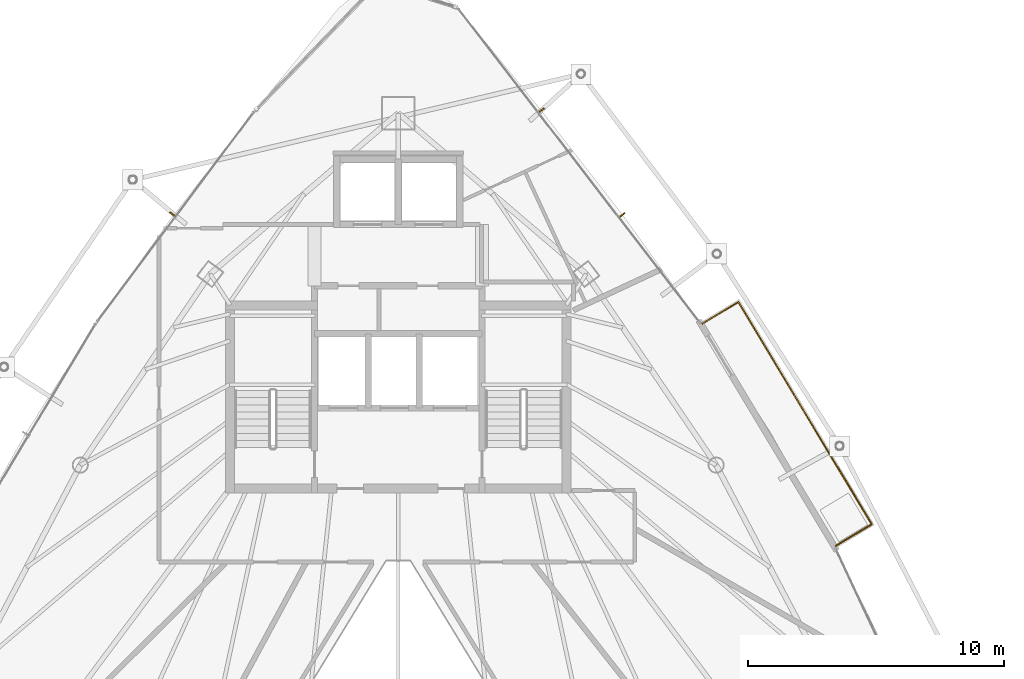
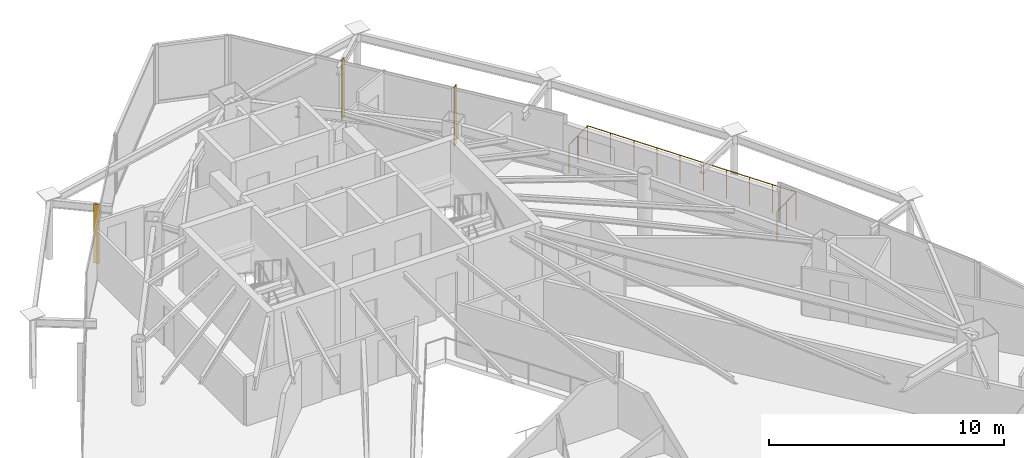
# One storey, part 34 of 34: 3 shading devices, 1 railing.
"""IFC4 building model written with IfcOpenShell, lengths in metres."""

from ifc_helpers import new_model, si_unit, direction, frame, origin, origin_2d, place, context, subcontext, project, spatial, rectangle, circle, extrude, material, layer, layer_set, type_object, element, save


model = new_model("IFC4")

# Units and contexts
model_context = context("Model", 3, precision=1e-05, world=origin(), true_north=direction((0.0, 1.0)))
body_context = subcontext(model_context, "Body", "Model", "MODEL_VIEW")
ifc_project = project(units=[si_unit("LENGTHUNIT", "METRE"), si_unit("AREAUNIT", "SQUARE_METRE"), si_unit("VOLUMEUNIT", "CUBIC_METRE"), si_unit("PLANEANGLEUNIT", "RADIAN"), si_unit("MASSUNIT", "GRAM", prefix="KILO")], contexts=[model_context])

# Site, building, storey
site_placement = place(None, origin())
site = spatial("IfcSite", under=ifc_project, at=site_placement, CompositionType="ELEMENT")
building_placement = place(site_placement, origin())
building = spatial("IfcBuilding", under=site, at=building_placement, Name="Orvanel Arch Residences", CompositionType="ELEMENT")
storey_placement = place(building_placement, frame((0.0, 0.0, 203.0)))
storey = spatial("IfcBuildingStorey", under=building, at=storey_placement, Name="L57", CompositionType="ELEMENT", Elevation=203.0)

# Shading devices
ifc_material = material(Name="Bronze-anodised aluminium AA6063-T6", Category="aluminium")
ifc_layer = layer(ifc_material, 0.050048828125)
ifc_layer_set = layer_set([ifc_layer], Name="Bronze-anodised aluminium AA6063-T6")
shading_device_type = type_object("IfcShadingDeviceType", Name="FIN-BRZ-260", PredefinedType="USERDEFINED", material=ifc_layer_set)
for number, where, z_axis, x_axis, name in (
    (1, (24.174072265625, 37.449951171875, 0.0), (0.0, 0.0, 1.0), (-0.800731370949, 0.599023598516, 0.0), "L57 Anodised Bronze Mullion FIN 01"),
    (2, (41.758056640625, 37.4189453125, 0.0), (0.0, 0.0, 1.0), (0.792289643355, 0.610145163901, 0.0), "L57 Anodised Bronze Mullion FIN 01"),
    (3, (38.60400390625, 41.514892578125, 0.0), (0.0, 0.0, 1.0), (0.792289643355, 0.610145163901, 0.0), "L57 Anodised Bronze Mullion FIN 02"),
):
    element("IfcShadingDevice", number, at=place(storey_placement, frame(where, z_axis=z_axis, x_axis=x_axis)), inside=storey, type_object=shading_device_type, Name=name, ObjectType="FIN", PredefinedType="USERDEFINED", context=body_context, shape_type="SweptSolid", body=[
        extrude(rectangle(XDim=0.260009765625, YDim=0.050048828125, at=origin_2d()), origin(), (0.0, 0.0, 1.0), 3.06005859375),
    ])

# Railing
railing_type = type_object("IfcRailingType", Name="RL-BAL-1480", PredefinedType="BALUSTRADE", material=ifc_material)
railing_placement = place(storey_placement, frame((50.10888671875, 24.48291015625, 0.0)))
element("IfcRailing", 4, at=railing_placement, inside=storey, type_object=railing_type, Name="L57 Balcony Perimeter Guardrail Face 3", PredefinedType="BALUSTRADE", context=body_context, shape_type="SweptSolid", body=[
    extrude(circle(Radius=0.02392578125, at=origin_2d()), frame((0.001220703125, 0.000732421875, 1.4560546875), z_axis=(0.857584807373, 0.514342588322, 0.0), x_axis=(-0.514342588322, 0.857584807373, 0.0)), (0.0, 0.0, 1.0), 1.637939453125),
    extrude(circle(Radius=0.02392578125, at=origin_2d()), frame((1.406494140625, 0.84521484375, 1.4560546875), z_axis=(-0.514481587658, 0.857501426215, 0.0), x_axis=(-0.857501426215, -0.514481587658, 0.0)), (0.0, 0.0, 1.0), 10.133544921875),
    extrude(circle(Radius=0.02392578125, at=origin_2d()), frame((-3.80908203125, 9.535400390625, 1.4560546875), z_axis=(-0.857387817543, -0.514670895164, 0.0), x_axis=(0.514670895164, -0.857387817543, 0.0)), (0.0, 0.0, 1.0), 1.636962890625),
    extrude(circle(Radius=0.02099609375, at=origin_2d()), origin(), (0.0, 0.0, 1.0), 1.429931640625),
    extrude(circle(Radius=0.02099609375, at=origin_2d()), frame((0.70361328125, 0.421875, 0.0)), (0.0, 0.0, 1.0), 1.429931640625),
    extrude(circle(Radius=0.02099609375, at=origin_2d()), frame((1.4072265625, 0.843994140625, 0.0)), (0.0, 0.0, 1.0), 1.429931640625),
    extrude(circle(Radius=0.02099609375, at=origin_2d()), frame((0.827880859375, 1.809814453125, 0.0)), (0.0, 0.0, 1.0), 1.429931640625),
    extrude(circle(Radius=0.02099609375, at=origin_2d()), frame((0.248291015625, 2.775634765625, 0.0)), (0.0, 0.0, 1.0), 1.429931640625),
    extrude(circle(Radius=0.02099609375, at=origin_2d()), frame((-0.3310546875, 3.741455078125, 0.0)), (0.0, 0.0, 1.0), 1.429931640625),
    extrude(circle(Radius=0.02099609375, at=origin_2d()), frame((-0.91064453125, 4.707275390625, 0.0)), (0.0, 0.0, 1.0), 1.429931640625),
    extrude(circle(Radius=0.02099609375, at=origin_2d()), frame((-1.489990234375, 5.6728515625, 0.0)), (0.0, 0.0, 1.0), 1.429931640625),
    extrude(circle(Radius=0.02099609375, at=origin_2d()), frame((-2.069580078125, 6.638671875, 0.0)), (0.0, 0.0, 1.0), 1.429931640625),
    extrude(circle(Radius=0.02099609375, at=origin_2d()), frame((-2.64892578125, 7.6044921875, 0.0)), (0.0, 0.0, 1.0), 1.429931640625),
    extrude(circle(Radius=0.02099609375, at=origin_2d()), frame((-3.228515625, 8.5703125, 0.0)), (0.0, 0.0, 1.0), 1.429931640625),
    extrude(circle(Radius=0.02099609375, at=origin_2d()), frame((-3.807861328125, 9.5361328125, 0.0)), (0.0, 0.0, 1.0), 1.429931640625),
    extrude(circle(Radius=0.02099609375, at=origin_2d()), frame((-4.5107421875, 9.1142578125, 0.0)), (0.0, 0.0, 1.0), 1.429931640625),
    extrude(circle(Radius=0.02099609375, at=origin_2d()), frame((-5.2138671875, 8.692138671875, 0.0)), (0.0, 0.0, 1.0), 1.429931640625),
])

save(model, "model.ifc")
